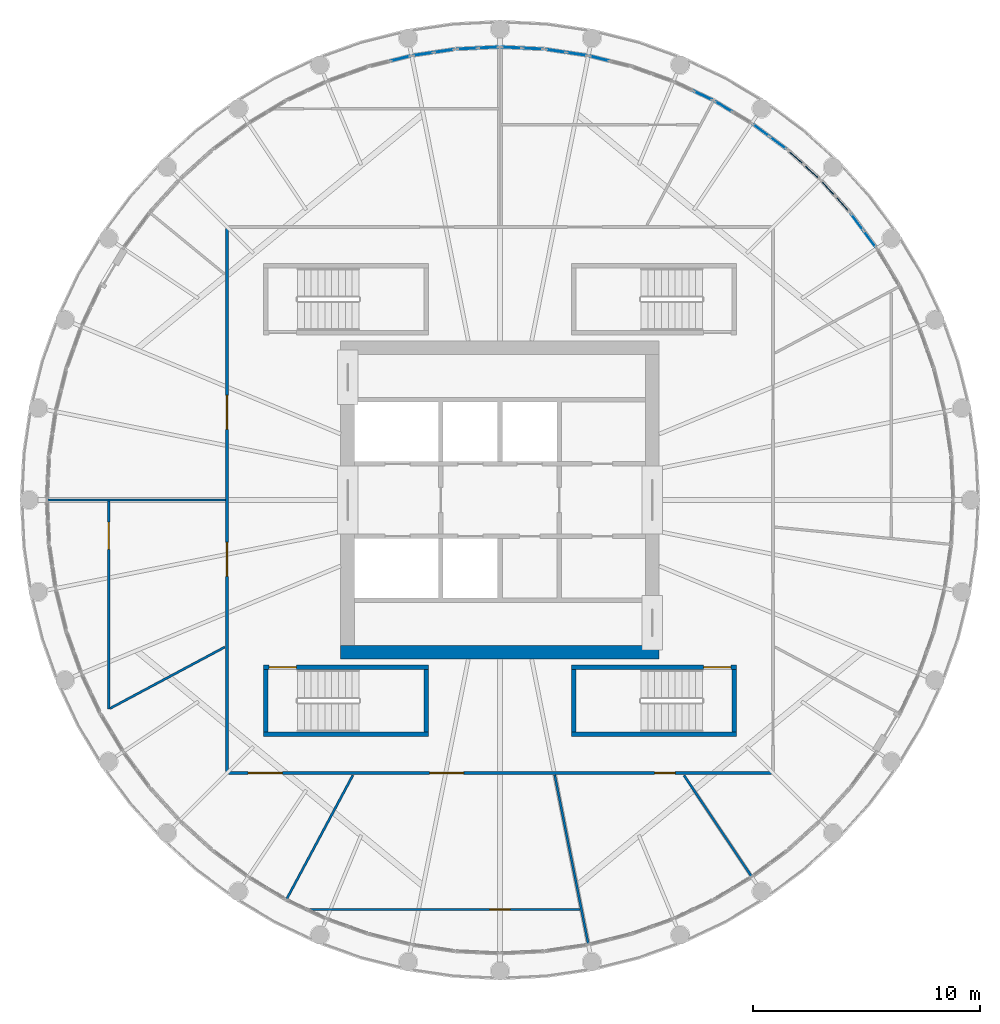
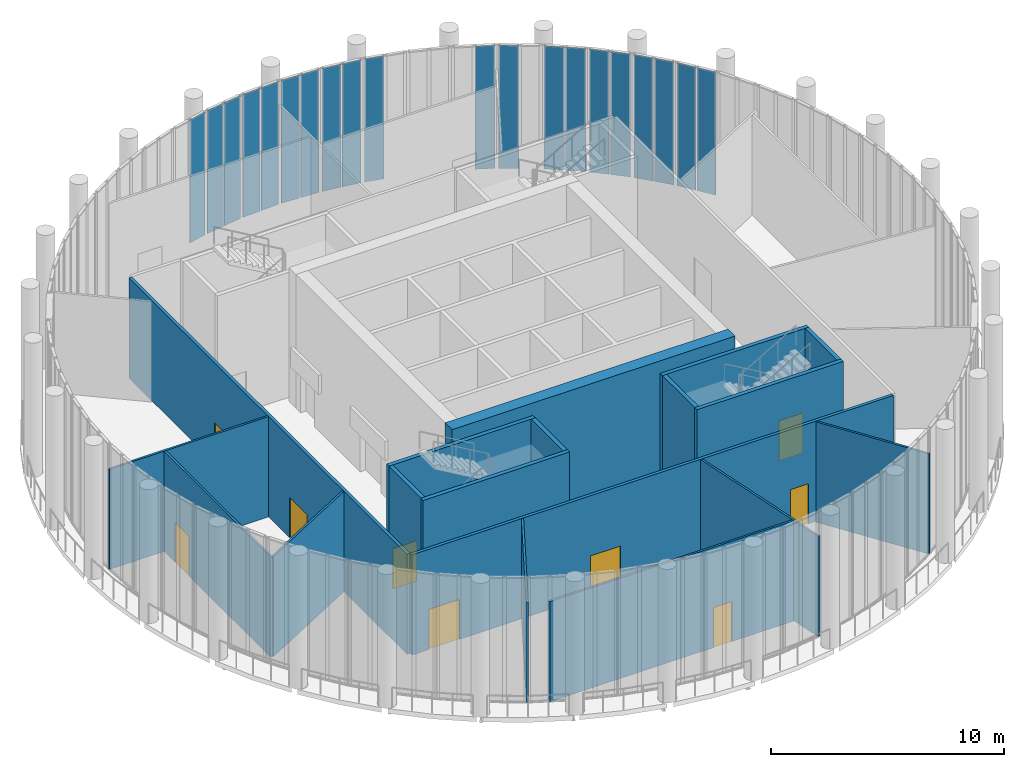
# One storey, part 15 of 21: 20 plates, 18 walls, 9 doors, 9 openings, 12 elements without a shape of their own.
"""IFC4 building model written with IfcOpenShell, lengths in metres."""

from ifc_helpers import new_model, si_unit, direction, frame, frame_2d, origin, origin_2d, place, context, subcontext, project, spatial, polyline, rectangle, outline, extrude, material, layer, layer_set, type_object, element, fill, aggregate, save


model = new_model("IFC4")

# Units and contexts
model_context = context("Model", 3, precision=1e-05, world=origin(), true_north=direction((0.0, 1.0)))
body_context = subcontext(model_context, "Body", "Model", "MODEL_VIEW")
ifc_project = project(units=[si_unit("LENGTHUNIT", "METRE"), si_unit("AREAUNIT", "SQUARE_METRE"), si_unit("VOLUMEUNIT", "CUBIC_METRE"), si_unit("PLANEANGLEUNIT", "RADIAN"), si_unit("MASSUNIT", "GRAM", prefix="KILO")], contexts=[model_context])

# Site, building, storey
site_placement = place(None, origin())
site = spatial("IfcSite", under=ifc_project, at=site_placement, CompositionType="ELEMENT")
building_placement = place(site_placement, origin())
building = spatial("IfcBuilding", under=site, at=building_placement, Name="Corvane Civic Tower", CompositionType="ELEMENT")
storey_placement = place(building_placement, frame((0.0, 0.0, 380.5)))
storey = spatial("IfcBuildingStorey", under=building, at=storey_placement, Name="L91", CompositionType="ELEMENT", Elevation=380.5)

# Curtain wall, plates
ifc_material_1 = material(Name="Aluminium and glass", Category="aluminium")
curtain_wall_type = type_object("IfcCurtainWallType", Name="CROWN-CW-O-RUN", PredefinedType="NOTDEFINED", material=ifc_material_1)
curtain_wall_1_placement = place(storey_placement, origin())
curtain_wall_1 = element("IfcCurtainWall", 1, at=curtain_wall_1_placement, inside=storey, type_object=curtain_wall_type, Name="CW-O run L91 1", PredefinedType="NOTDEFINED")
ifc_material_2 = material(Name="Glass tinted low-e laminated", Category="glass")
ifc_layer_1 = layer(ifc_material_2, 0.035888671875)
ifc_layer_set_1 = layer_set([ifc_layer_1], Name="Glass tinted low-e laminated")
plate_type = type_object("IfcPlateType", Name="CROWN-CWO-PANEL-IGU36", PredefinedType="CURTAIN_PANEL", material=ifc_layer_set_1)
plate_1_placement = place(storey_placement, frame((-0.5107421875, 19.884765625, 0.06005859375), z_axis=(0.0, 0.0, 1.0), x_axis=(-0.998799228405, -0.048990829113, 0.0)))
plate_1 = element("IfcPlate", 2, at=plate_1_placement, type_object=plate_type, Name="CW-O panel 1.1", PredefinedType="CURTAIN_PANEL", context=body_context, shape_type="SweptSolid", body=[
    extrude(rectangle(XDim=0.871337890625, YDim=0.035888671875, at=origin_2d()), origin(), (0.0, 0.0, 1.0), 6.429931640625),
])
plate_2_placement = place(storey_placement, frame((-1.44091796875, 19.839111328125, 0.06005859375), z_axis=(0.0, 0.0, 1.0), x_axis=(-0.998799228405, -0.048990829113, 0.0)))
plate_2 = element("IfcPlate", 3, at=plate_2_placement, type_object=plate_type, Name="CW-O panel 2.1", PredefinedType="CURTAIN_PANEL", context=body_context, shape_type="SweptSolid", body=[
    extrude(rectangle(XDim=0.871337890625, YDim=0.035888671875, at=origin_2d()), origin(), (0.0, 0.0, 1.0), 6.429931640625),
])
aggregate(curtain_wall_1, [plate_1, plate_2])

curtain_wall_2_placement = place(storey_placement, origin())
curtain_wall_2 = element("IfcCurtainWall", 4, at=curtain_wall_2_placement, inside=storey, type_object=curtain_wall_type, Name="CW-O run L91 2", PredefinedType="NOTDEFINED")
plate_3_placement = place(storey_placement, frame((-2.457275390625, 19.739013671875, 0.06005859375), z_axis=(0.0, 0.0, 1.0), x_axis=(-0.989170486303, -0.146771076941, 0.0)))
plate_3 = element("IfcPlate", 5, at=plate_3_placement, type_object=plate_type, Name="CW-O panel 1.1", PredefinedType="CURTAIN_PANEL", context=body_context, shape_type="SweptSolid", body=[
    extrude(rectangle(XDim=0.871337890625, YDim=0.035888671875, at=origin_2d()), origin(), (0.0, 0.0, 1.0), 6.429931640625),
])
plate_4_placement = place(storey_placement, frame((-3.378662109375, 19.602294921875, 0.06005859375), z_axis=(0.0, 0.0, 1.0), x_axis=(-0.989170486303, -0.146771076941, 0.0)))
plate_4 = element("IfcPlate", 6, at=plate_4_placement, type_object=plate_type, Name="CW-O panel 2.1", PredefinedType="CURTAIN_PANEL", context=body_context, shape_type="SweptSolid", body=[
    extrude(rectangle(XDim=0.871337890625, YDim=0.035888671875, at=origin_2d()), origin(), (0.0, 0.0, 1.0), 6.429931640625),
])
aggregate(curtain_wall_2, [plate_3, plate_4])

# Curtain wall, plate
curtain_wall_3_placement = place(storey_placement, origin())
curtain_wall_3 = element("IfcCurtainWall", 7, at=curtain_wall_3_placement, inside=storey, type_object=curtain_wall_type, Name="CW-O run L91 3", PredefinedType="NOTDEFINED")
plate_5_placement = place(storey_placement, frame((-4.380126953125, 19.403076171875, 0.06005859375), z_axis=(0.0, 0.0, 1.0), x_axis=(-0.970038385347, -0.242951704982, 0.0)))
plate_5 = element("IfcPlate", 8, at=plate_5_placement, type_object=plate_type, Name="CW-O panel 1.1", PredefinedType="CURTAIN_PANEL", context=body_context, shape_type="SweptSolid", body=[
    extrude(rectangle(XDim=0.871337890625, YDim=0.035888671875, at=origin_2d()), origin(), (0.0, 0.0, 1.0), 6.429931640625),
])
aggregate(curtain_wall_3, [plate_5])

# Curtain wall, plates
curtain_wall_4_placement = place(storey_placement, origin())
curtain_wall_4 = element("IfcCurtainWall", 9, at=curtain_wall_4_placement, inside=storey, type_object=curtain_wall_type, Name="CW-O run L91 55", PredefinedType="NOTDEFINED")
plate_6_placement = place(storey_placement, frame((16.25, 11.471923828125, 0.06005859375), z_axis=(0.0, 0.0, 1.0), x_axis=(-0.595722477003, 0.803190345058, 0.0)))
plate_6 = element("IfcPlate", 10, at=plate_6_placement, type_object=plate_type, Name="CW-O panel 1.1", PredefinedType="CURTAIN_PANEL", context=body_context, shape_type="SweptSolid", body=[
    extrude(rectangle(XDim=0.871337890625, YDim=0.035888671875, at=origin_2d()), origin(), (0.0, 0.0, 1.0), 6.429931640625),
])
plate_7_placement = place(storey_placement, frame((15.695068359375, 12.219970703125, 0.06005859375), z_axis=(0.0, 0.0, 1.0), x_axis=(-0.595722477003, 0.803190345058, 0.0)))
plate_7 = element("IfcPlate", 11, at=plate_7_placement, type_object=plate_type, Name="CW-O panel 2.1", PredefinedType="CURTAIN_PANEL", context=body_context, shape_type="SweptSolid", body=[
    extrude(rectangle(XDim=0.871337890625, YDim=0.035888671875, at=origin_2d()), origin(), (0.0, 0.0, 1.0), 6.429931640625),
])
aggregate(curtain_wall_4, [plate_6, plate_7])

curtain_wall_5_placement = place(storey_placement, origin())
curtain_wall_5 = element("IfcCurtainWall", 12, at=curtain_wall_5_placement, inside=storey, type_object=curtain_wall_type, Name="CW-O run L91 56", PredefinedType="NOTDEFINED")
plate_8_placement = place(storey_placement, frame((15.047119140625, 13.00927734375, 0.06005859375), z_axis=(0.0, 0.0, 1.0), x_axis=(-0.671566717692, 0.740944089448, 0.0)))
plate_8 = element("IfcPlate", 13, at=plate_8_placement, type_object=plate_type, Name="CW-O panel 1.1", PredefinedType="CURTAIN_PANEL", context=body_context, shape_type="SweptSolid", body=[
    extrude(rectangle(XDim=0.871337890625, YDim=0.035888671875, at=origin_2d()), origin(), (0.0, 0.0, 1.0), 6.429931640625),
])
plate_9_placement = place(storey_placement, frame((14.421630859375, 13.699462890625, 0.06005859375), z_axis=(0.0, 0.0, 1.0), x_axis=(-0.671566717692, 0.740944089448, 0.0)))
plate_9 = element("IfcPlate", 14, at=plate_9_placement, type_object=plate_type, Name="CW-O panel 2.1", PredefinedType="CURTAIN_PANEL", context=body_context, shape_type="SweptSolid", body=[
    extrude(rectangle(XDim=0.871337890625, YDim=0.035888671875, at=origin_2d()), origin(), (0.0, 0.0, 1.0), 6.429931640625),
])
aggregate(curtain_wall_5, [plate_8, plate_9])

curtain_wall_6_placement = place(storey_placement, origin())
curtain_wall_6 = element("IfcCurtainWall", 15, at=curtain_wall_6_placement, inside=storey, type_object=curtain_wall_type, Name="CW-O run L91 57", PredefinedType="NOTDEFINED")
plate_10_placement = place(storey_placement, frame((13.699462890625, 14.421630859375, 0.06005859375), z_axis=(0.0, 0.0, 1.0), x_axis=(-0.740944089448, 0.671566717692, 0.0)))
plate_10 = element("IfcPlate", 16, at=plate_10_placement, type_object=plate_type, Name="CW-O panel 1.1", PredefinedType="CURTAIN_PANEL", context=body_context, shape_type="SweptSolid", body=[
    extrude(rectangle(XDim=0.871337890625, YDim=0.035888671875, at=origin_2d()), origin(), (0.0, 0.0, 1.0), 6.429931640625),
])
plate_11_placement = place(storey_placement, frame((13.00927734375, 15.047119140625, 0.06005859375), z_axis=(0.0, 0.0, 1.0), x_axis=(-0.740944089448, 0.671566717692, 0.0)))
plate_11 = element("IfcPlate", 17, at=plate_11_placement, type_object=plate_type, Name="CW-O panel 2.1", PredefinedType="CURTAIN_PANEL", context=body_context, shape_type="SweptSolid", body=[
    extrude(rectangle(XDim=0.871337890625, YDim=0.035888671875, at=origin_2d()), origin(), (0.0, 0.0, 1.0), 6.429931640625),
])
aggregate(curtain_wall_6, [plate_10, plate_11])

curtain_wall_7_placement = place(storey_placement, origin())
curtain_wall_7 = element("IfcCurtainWall", 18, at=curtain_wall_7_placement, inside=storey, type_object=curtain_wall_type, Name="CW-O run L91 58", PredefinedType="NOTDEFINED")
plate_12_placement = place(storey_placement, frame((12.219970703125, 15.695068359375, 0.06005859375), z_axis=(0.0, 0.0, 1.0), x_axis=(-0.803190345058, 0.595722477003, 0.0)))
plate_12 = element("IfcPlate", 19, at=plate_12_placement, type_object=plate_type, Name="CW-O panel 1.1", PredefinedType="CURTAIN_PANEL", context=body_context, shape_type="SweptSolid", body=[
    extrude(rectangle(XDim=0.871337890625, YDim=0.035888671875, at=origin_2d()), origin(), (0.0, 0.0, 1.0), 6.429931640625),
])
plate_13_placement = place(storey_placement, frame((11.471923828125, 16.25, 0.06005859375), z_axis=(0.0, 0.0, 1.0), x_axis=(-0.803190345058, 0.595722477003, 0.0)))
plate_13 = element("IfcPlate", 20, at=plate_13_placement, type_object=plate_type, Name="CW-O panel 2.1", PredefinedType="CURTAIN_PANEL", context=body_context, shape_type="SweptSolid", body=[
    extrude(rectangle(XDim=0.871337890625, YDim=0.035888671875, at=origin_2d()), origin(), (0.0, 0.0, 1.0), 6.429931640625),
])
aggregate(curtain_wall_7, [plate_12, plate_13])

# Curtain wall, plate
curtain_wall_8_placement = place(storey_placement, origin())
curtain_wall_8 = element("IfcCurtainWall", 21, at=curtain_wall_8_placement, inside=storey, type_object=curtain_wall_type, Name="CW-O run L91 59", PredefinedType="NOTDEFINED")
plate_14_placement = place(storey_placement, frame((9.823974609375, 17.296142578125, 0.06005859375), z_axis=(0.0, 0.0, 1.0), x_axis=(-0.857699380043, 0.514151508287, 0.0)))
plate_14 = element("IfcPlate", 22, at=plate_14_placement, type_object=plate_type, Name="CW-O panel 2.1", PredefinedType="CURTAIN_PANEL", context=body_context, shape_type="SweptSolid", body=[
    extrude(rectangle(XDim=0.871337890625, YDim=0.035888671875, at=origin_2d()), origin(), (0.0, 0.0, 1.0), 6.429931640625),
])
aggregate(curtain_wall_8, [plate_14])

curtain_wall_9_placement = place(storey_placement, origin())
curtain_wall_9 = element("IfcCurtainWall", 23, at=curtain_wall_9_placement, inside=storey, type_object=curtain_wall_type, Name="CW-O run L91 60", PredefinedType="NOTDEFINED")
plate_15_placement = place(storey_placement, frame((8.92333984375, 17.777587890625, 0.06005859375), z_axis=(0.0, 0.0, 1.0), x_axis=(-0.904010875684, 0.427509457959, 0.0)))
plate_15 = element("IfcPlate", 24, at=plate_15_placement, type_object=plate_type, Name="CW-O panel 1.1", PredefinedType="CURTAIN_PANEL", context=body_context, shape_type="SweptSolid", body=[
    extrude(rectangle(XDim=0.871337890625, YDim=0.035888671875, at=origin_2d()), origin(), (0.0, 0.0, 1.0), 6.429931640625),
])
aggregate(curtain_wall_9, [plate_15])

curtain_wall_10_placement = place(storey_placement, origin())
curtain_wall_10 = element("IfcCurtainWall", 25, at=curtain_wall_10_placement, inside=storey, type_object=curtain_wall_type, Name="CW-O run L91 62", PredefinedType="NOTDEFINED")
plate_16_placement = place(storey_placement, frame((4.380126953125, 19.403076171875, 0.06005859375), z_axis=(0.0, 0.0, 1.0), x_axis=(-0.970038385347, 0.242951704982, 0.0)))
plate_16 = element("IfcPlate", 26, at=plate_16_placement, type_object=plate_type, Name="CW-O panel 2.1", PredefinedType="CURTAIN_PANEL", context=body_context, shape_type="SweptSolid", body=[
    extrude(rectangle(XDim=0.871337890625, YDim=0.035888671875, at=origin_2d()), origin(), (0.0, 0.0, 1.0), 6.429931640625),
])
aggregate(curtain_wall_10, [plate_16])

# Curtain wall, plates
curtain_wall_11_placement = place(storey_placement, origin())
curtain_wall_11 = element("IfcCurtainWall", 27, at=curtain_wall_11_placement, inside=storey, type_object=curtain_wall_type, Name="CW-O run L91 63", PredefinedType="NOTDEFINED")
plate_17_placement = place(storey_placement, frame((3.378662109375, 19.602294921875, 0.06005859375), z_axis=(0.0, 0.0, 1.0), x_axis=(-0.989170486303, 0.146771076941, 0.0)))
plate_17 = element("IfcPlate", 28, at=plate_17_placement, type_object=plate_type, Name="CW-O panel 1.1", PredefinedType="CURTAIN_PANEL", context=body_context, shape_type="SweptSolid", body=[
    extrude(rectangle(XDim=0.871337890625, YDim=0.035888671875, at=origin_2d()), origin(), (0.0, 0.0, 1.0), 6.429931640625),
])
plate_18_placement = place(storey_placement, frame((2.457275390625, 19.739013671875, 0.06005859375), z_axis=(0.0, 0.0, 1.0), x_axis=(-0.989170486303, 0.146771076941, 0.0)))
plate_18 = element("IfcPlate", 29, at=plate_18_placement, type_object=plate_type, Name="CW-O panel 2.1", PredefinedType="CURTAIN_PANEL", context=body_context, shape_type="SweptSolid", body=[
    extrude(rectangle(XDim=0.871337890625, YDim=0.035888671875, at=origin_2d()), origin(), (0.0, 0.0, 1.0), 6.429931640625),
])
aggregate(curtain_wall_11, [plate_17, plate_18])

curtain_wall_12_placement = place(storey_placement, origin())
curtain_wall_12 = element("IfcCurtainWall", 30, at=curtain_wall_12_placement, inside=storey, type_object=curtain_wall_type, Name="CW-O run L91 64", PredefinedType="NOTDEFINED")
plate_19_placement = place(storey_placement, frame((1.44091796875, 19.839111328125, 0.06005859375), z_axis=(0.0, 0.0, 1.0), x_axis=(-0.998799228405, 0.048990829113, 0.0)))
plate_19 = element("IfcPlate", 31, at=plate_19_placement, type_object=plate_type, Name="CW-O panel 1.1", PredefinedType="CURTAIN_PANEL", context=body_context, shape_type="SweptSolid", body=[
    extrude(rectangle(XDim=0.871337890625, YDim=0.035888671875, at=origin_2d()), origin(), (0.0, 0.0, 1.0), 6.429931640625),
])
plate_20_placement = place(storey_placement, frame((0.5107421875, 19.884765625, 0.06005859375), z_axis=(0.0, 0.0, 1.0), x_axis=(-0.998799228405, 0.048990829113, 0.0)))
plate_20 = element("IfcPlate", 32, at=plate_20_placement, type_object=plate_type, Name="CW-O panel 2.1", PredefinedType="CURTAIN_PANEL", context=body_context, shape_type="SweptSolid", body=[
    extrude(rectangle(XDim=0.871337890625, YDim=0.035888671875, at=origin_2d()), origin(), (0.0, 0.0, 1.0), 6.429931640625),
])
aggregate(curtain_wall_12, [plate_19, plate_20])

# Walls
ifc_material_3 = material(Name="Concrete C40/50", Category="concrete")
ifc_layer_2 = layer(ifc_material_3, 0.60009765625)
ifc_layer_set_2 = layer_set([ifc_layer_2], Name="Concrete C40/50")
wall_type_1 = type_object("IfcWallType", Name="CORE WALL 600 C40/50", PredefinedType="SHEAR", material=ifc_layer_set_2)
wall_1_placement = place(storey_placement, frame((-7.0, -6.699951171875, 0.0), z_axis=(0.0, 0.0, 1.0), x_axis=(1.0, 0.0, 0.0)))
element("IfcWall", 33, at=wall_1_placement, inside=storey, type_object=wall_type_1, Name="W-L91-core-S", PredefinedType="SHEAR", context=body_context, shape_type="SweptSolid", body=[
    extrude(rectangle(XDim=14.0, YDim=0.60009765625, at=frame_2d((7.0, 0.0))), origin(), (0.0, 0.0, 1.0), 7.0),
])
ifc_material_4 = material(Name="Plasterboard")
ifc_layer_3 = layer(ifc_material_4, 0.10009765625)
ifc_layer_set_3 = layer_set([ifc_layer_3], Name="Plasterboard")
wall_type_2 = type_object("IfcWallType", Name="Partition 100 plasterboard on studs", PredefinedType="PARTITIONING", material=ifc_layer_set_3)
wall_2_placement = place(storey_placement, frame((2.40380859375, -12.084716796875, 0.0), z_axis=(0.0, 0.0, 1.0), x_axis=(0.195088249499, -0.98078569265, 0.0)))
element("IfcWall", 34, at=wall_2_placement, inside=storey, type_object=wall_type_2, Name="Partition L91.001", PredefinedType="PARTITIONING", context=body_context, shape_type="SweptSolid", body=[
    extrude(rectangle(XDim=7.628662109375, YDim=0.10009765625, at=frame_2d((3.814453125, 0.0))), origin(), (0.0, 0.0, 1.0), 5.25),
])

# Wall, opening, door
wall_3_placement = place(storey_placement, frame((-8.547119140625, -18.0, 0.0), z_axis=(0.0, 0.0, 1.0), x_axis=(1.0, 0.0, 0.0)))
wall_3 = element("IfcWall", 35, at=wall_3_placement, inside=storey, type_object=wall_type_2, Name="Partition L91.002", PredefinedType="PARTITIONING", context=body_context, shape_type="SweptSolid", body=[
    extrude(rectangle(XDim=12.066650390625, YDim=0.10009765625, at=frame_2d((6.033203125, 0.0))), origin(), (0.0, 0.0, 1.0), 5.25),
])
opening_1_placement = place(wall_3_placement, frame((8.103271484375, 0.0, 0.0)))
opening_1 = element("IfcOpeningElement", 36, at=opening_1_placement, cuts=wall_3, Name="Opening L91.009", PredefinedType="OPENING", context=body_context, shape_type="SweptSolid", body=[
    extrude(rectangle(XDim=0.89990234375, YDim=2.10009765625, at=frame_2d((0.449951171875, 1.050048828125))), frame((0.0, 0.06005859375, 0.0), z_axis=(0.0, -1.0, 0.0), x_axis=(1.0, 0.0, 0.0)), (0.0, 0.0, 1.0), 0.1201171875),
])
ifc_material_5 = material(Name="Timber", Category="wood")
door_type_1 = type_object("IfcDoorType", Name="Single door 900", OperationType="NOTDEFINED", PredefinedType="DOOR", material=ifc_material_5)
door_1_placement = place(opening_1_placement, frame((0.89990234375, 0.0, 0.0), z_axis=(0.0, 0.0, 1.0), x_axis=(-1.0, 0.0, 0.0)))
door_1 = element("IfcDoor", 37, at=door_1_placement, inside=storey, type_object=door_type_1, Name="Door L91.009", OperationType="SINGLE_SWING_RIGHT", OverallHeight=2.10009765625, OverallWidth=0.89990234375, PredefinedType="DOOR", context=body_context, shape_type="SweptSolid", body=[
    extrude(rectangle(XDim=0.89990234375, YDim=2.10009765625, at=frame_2d((0.449951171875, 1.050048828125))), frame((0.0, 0.02490234375, 0.0), z_axis=(0.0, -1.0, 0.0), x_axis=(1.0, 0.0, 0.0)), (0.0, 0.0, 1.0), 0.050048828125),
])
fill(opening_1, door_1)

# Walls
wall_4_placement = place(storey_placement, frame((-9.404541015625, -17.594482421875, 0.0), z_axis=(0.0, 0.0, 1.0), x_axis=(0.47141562334, 0.881911169036, 0.0)))
element("IfcWall", 38, at=wall_4_placement, inside=storey, type_object=wall_type_2, Name="Partition L91.003", PredefinedType="PARTITIONING", context=body_context, shape_type="SweptSolid", body=[
    extrude(rectangle(XDim=6.231689453125, YDim=0.10009765625, at=frame_2d((3.11572265625, 0.0))), origin(), (0.0, 0.0, 1.0), 5.25),
])
wall_5_placement = place(storey_placement, frame((8.0869140625, -12.102783203125, 0.0), z_axis=(0.0, 0.0, 1.0), x_axis=(0.555566798696, -0.831471907034, 0.0)))
element("IfcWall", 39, at=wall_5_placement, inside=storey, type_object=wall_type_2, Name="Partition L91.004", PredefinedType="PARTITIONING", context=body_context, shape_type="SweptSolid", body=[
    extrude(rectangle(XDim=5.394287109375, YDim=0.10009765625, at=frame_2d((2.697265625, 0.0))), origin(), (0.0, 0.0, 1.0), 5.25),
])
wall_6_placement = place(storey_placement, frame((-17.13232421875, -9.157470703125, 0.0), z_axis=(0.0, 0.0, 1.0), x_axis=(0.881913272731, 0.471411687786, 0.0)))
element("IfcWall", 40, at=wall_6_placement, inside=storey, type_object=wall_type_2, Name="Partition L91.009", PredefinedType="PARTITIONING", context=body_context, shape_type="SweptSolid", body=[
    extrude(rectangle(XDim=5.707763671875, YDim=0.10009765625, at=frame_2d((2.85400390625, 0.0))), origin(), (0.0, 0.0, 1.0), 5.25),
])

# Wall, opening, door
wall_7_placement = place(storey_placement, frame((-17.199951171875, -9.193603515625, 0.0), z_axis=(0.0, 0.0, 1.0), x_axis=(0.0, 1.0, 0.0)))
wall_7 = element("IfcWall", 41, at=wall_7_placement, inside=storey, type_object=wall_type_2, Name="Partition L91.010", PredefinedType="PARTITIONING", context=body_context, shape_type="SweptSolid", body=[
    extrude(rectangle(XDim=9.1435546875, YDim=0.10009765625, at=frame_2d((4.57177734375, 0.0))), origin(), (0.0, 0.0, 1.0), 5.25),
])
opening_2_placement = place(wall_7_placement, frame((7.020751953125, 0.0, 0.0)))
opening_2 = element("IfcOpeningElement", 42, at=opening_2_placement, cuts=wall_7, Name="Opening L91.012", PredefinedType="OPENING", context=body_context, shape_type="SweptSolid", body=[
    extrude(rectangle(XDim=1.199951171875, YDim=2.10009765625, at=frame_2d((0.60009765625, 1.050048828125))), frame((0.0, 0.06005859375, 0.0), z_axis=(0.0, -1.0, 0.0), x_axis=(1.0, 0.0, 0.0)), (0.0, 0.0, 1.0), 0.1201171875),
])
ifc_material_6 = material(Name="Timber", Category="wood")
door_type_2 = type_object("IfcDoorType", Name="Double door 1200", OperationType="NOTDEFINED", PredefinedType="DOOR", material=ifc_material_6)
door_2_placement = place(opening_2_placement, origin())
door_2 = element("IfcDoor", 43, at=door_2_placement, inside=storey, type_object=door_type_2, Name="Door L91.012", OperationType="DOUBLE_DOOR_SINGLE_SWING", OverallHeight=2.10009765625, OverallWidth=1.199951171875, PredefinedType="DOOR", context=body_context, shape_type="SweptSolid", body=[
    extrude(rectangle(XDim=1.199951171875, YDim=2.10009765625, at=frame_2d((0.60009765625, 1.050048828125))), frame((0.0, 0.02490234375, 0.0), z_axis=(0.0, -1.0, 0.0), x_axis=(1.0, 0.0, 0.0)), (0.0, 0.0, 1.0), 0.050048828125),
])
fill(opening_2, door_2)

# Wall
wall_8_placement = place(storey_placement, frame((-19.9501953125, 0.0, 0.0), z_axis=(0.0, 0.0, 1.0), x_axis=(1.0, 0.0, 0.0)))
element("IfcWall", 44, at=wall_8_placement, inside=storey, type_object=wall_type_2, Name="Partition L91.013", PredefinedType="PARTITIONING", context=body_context, shape_type="SweptSolid", body=[
    extrude(rectangle(XDim=7.875244140625, YDim=0.10009765625, at=frame_2d((3.9375, 0.0))), origin(), (0.0, 0.0, 1.0), 5.25),
])

# Wall, opening, door
ifc_material_7 = material(Name="Concrete C50/60", Category="concrete")
ifc_layer_4 = layer(ifc_material_7, 0.199951171875)
ifc_layer_set_4 = layer_set([ifc_layer_4], Name="Concrete C50/60")
wall_type_3 = type_object("IfcWallType", Name="ST-WALL-200", PredefinedType="SHEAR", material=ifc_layer_set_4)
wall_9_placement = place(storey_placement, frame((-10.39990234375, -7.35009765625, 0.0), z_axis=(0.0, 0.0, 1.0), x_axis=(1.0, 0.0, 0.0)))
wall_9 = element("IfcWall", 45, at=wall_9_placement, inside=storey, type_object=wall_type_3, Name="L91 stair enclosure wall", PredefinedType="SHEAR", context=body_context, shape_type="SweptSolid", body=[
    extrude(rectangle(XDim=7.25, YDim=0.199951171875, at=frame_2d((3.625, 0.0))), origin(), (0.0, 0.0, 1.0), 6.550048828125),
])
opening_3_placement = place(wall_9_placement, frame((0.25, 0.0, 0.0)))
opening_3 = element("IfcOpeningElement", 46, at=opening_3_placement, cuts=wall_9, Name="Opening L91.C07", PredefinedType="OPENING", context=body_context, shape_type="SweptSolid", body=[
    extrude(rectangle(XDim=1.199951171875, YDim=2.10009765625, at=frame_2d((0.60009765625, 1.050048828125))), frame((0.0, 0.10986328125, 0.0), z_axis=(0.0, -1.0, 0.0), x_axis=(1.0, 0.0, 0.0)), (0.0, 0.0, 1.0), 0.219970703125),
])
ifc_material_8 = material(Name="Steel fire door leaf", Category="steel")
door_type_3 = type_object("IfcDoorType", Name="ST-DOOR-1200", OperationType="SINGLE_SWING_RIGHT", PredefinedType="DOOR", material=ifc_material_8)
door_3_placement = place(opening_3_placement, origin())
door_3 = element("IfcDoor", 47, at=door_3_placement, inside=storey, type_object=door_type_3, Name="L91 stair door", OperationType="SINGLE_SWING_RIGHT", OverallHeight=2.10009765625, OverallWidth=1.199951171875, PredefinedType="DOOR", context=body_context, shape_type="SweptSolid", body=[
    extrude(rectangle(XDim=1.199951171875, YDim=2.10009765625, at=frame_2d((0.60009765625, 1.050048828125))), frame((0.0, 0.02490234375, 0.0), z_axis=(0.0, -1.0, 0.0), x_axis=(1.0, 0.0, 0.0)), (0.0, 0.0, 1.0), 0.050048828125),
])
fill(opening_3, door_3)

wall_10_placement = place(storey_placement, frame((3.14990234375, -7.35009765625, 0.0), z_axis=(0.0, 0.0, 1.0), x_axis=(1.0, 0.0, 0.0)))
wall_10 = element("IfcWall", 48, at=wall_10_placement, inside=storey, type_object=wall_type_3, Name="L91 stair enclosure wall", PredefinedType="SHEAR", context=body_context, shape_type="SweptSolid", body=[
    extrude(rectangle(XDim=7.25, YDim=0.199951171875, at=frame_2d((3.625, 0.0))), origin(), (0.0, 0.0, 1.0), 6.550048828125),
])
opening_4_placement = place(wall_10_placement, frame((5.800048828125, 0.0, 0.0)))
opening_4 = element("IfcOpeningElement", 49, at=opening_4_placement, cuts=wall_10, Name="Opening L91.C06", PredefinedType="OPENING", context=body_context, shape_type="SweptSolid", body=[
    extrude(rectangle(XDim=1.199951171875, YDim=2.10009765625, at=frame_2d((0.60009765625, 1.050048828125))), frame((0.0, 0.10986328125, 0.0), z_axis=(0.0, -1.0, 0.0), x_axis=(1.0, 0.0, 0.0)), (0.0, 0.0, 1.0), 0.219970703125),
])
door_4_placement = place(opening_4_placement, origin())
door_4 = element("IfcDoor", 50, at=door_4_placement, inside=storey, type_object=door_type_3, Name="L91 stair door", OperationType="SINGLE_SWING_RIGHT", OverallHeight=2.10009765625, OverallWidth=1.199951171875, PredefinedType="DOOR", context=body_context, shape_type="SweptSolid", body=[
    extrude(rectangle(XDim=1.199951171875, YDim=2.10009765625, at=frame_2d((0.60009765625, 1.050048828125))), frame((0.0, 0.02490234375, 0.0), z_axis=(0.0, -1.0, 0.0), x_axis=(1.0, 0.0, 0.0)), (0.0, 0.0, 1.0), 0.050048828125),
])
fill(opening_4, door_4)

# Walls
wall_11_placement = place(storey_placement, origin())
element("IfcWall", 51, at=wall_11_placement, inside=storey, type_object=wall_type_3, Name="L91 stair enclosure wall", PredefinedType="SHEAR", context=body_context, shape_type="SweptSolid", body=[
    extrude(outline(polyline([(-3.14990234375, -10.199951171875), (-3.14990234375, -10.39990234375), (-10.39990234375, -10.39990234375), (-10.39990234375, -10.199951171875), (-3.14990234375, -10.199951171875)])), origin(), (0.0, 0.0, 1.0), 6.550048828125),
])
wall_12_placement = place(storey_placement, origin())
element("IfcWall", 52, at=wall_12_placement, inside=storey, type_object=wall_type_3, Name="L91 stair enclosure wall", PredefinedType="SHEAR", context=body_context, shape_type="SweptSolid", body=[
    extrude(outline(polyline([(10.39990234375, -10.39990234375), (3.14990234375, -10.39990234375), (3.14990234375, -10.199951171875), (10.39990234375, -10.199951171875), (10.39990234375, -10.39990234375)])), origin(), (0.0, 0.0, 1.0), 6.550048828125),
])
wall_13_placement = place(storey_placement, origin())
element("IfcWall", 53, at=wall_13_placement, inside=storey, type_object=wall_type_3, Name="L91 stair enclosure wall", PredefinedType="SHEAR", context=body_context, shape_type="SweptSolid", body=[
    extrude(outline(polyline([(-3.14990234375, -7.449951171875), (-3.14990234375, -10.199951171875), (-3.35009765625, -10.199951171875), (-3.35009765625, -7.449951171875), (-3.14990234375, -7.449951171875)])), origin(), (0.0, 0.0, 1.0), 6.550048828125),
])
wall_14_placement = place(storey_placement, origin())
element("IfcWall", 54, at=wall_14_placement, inside=storey, type_object=wall_type_3, Name="L91 stair enclosure wall", PredefinedType="SHEAR", context=body_context, shape_type="SweptSolid", body=[
    extrude(outline(polyline([(3.35009765625, -7.449951171875), (3.35009765625, -10.199951171875), (3.14990234375, -10.199951171875), (3.14990234375, -7.449951171875), (3.35009765625, -7.449951171875)])), origin(), (0.0, 0.0, 1.0), 6.550048828125),
])
wall_15_placement = place(storey_placement, origin())
element("IfcWall", 55, at=wall_15_placement, inside=storey, type_object=wall_type_3, Name="L91 stair enclosure wall", PredefinedType="SHEAR", context=body_context, shape_type="SweptSolid", body=[
    extrude(outline(polyline([(-10.199951171875, -7.449951171875), (-10.199951171875, -10.199951171875), (-10.39990234375, -10.199951171875), (-10.39990234375, -7.449951171875), (-10.199951171875, -7.449951171875)])), origin(), (0.0, 0.0, 1.0), 6.550048828125),
])
wall_16_placement = place(storey_placement, origin())
element("IfcWall", 56, at=wall_16_placement, inside=storey, type_object=wall_type_3, Name="L91 stair enclosure wall", PredefinedType="SHEAR", context=body_context, shape_type="SweptSolid", body=[
    extrude(outline(polyline([(10.39990234375, -7.449951171875), (10.39990234375, -10.199951171875), (10.199951171875, -10.199951171875), (10.199951171875, -7.449951171875), (10.39990234375, -7.449951171875)])), origin(), (0.0, 0.0, 1.0), 6.550048828125),
])

# Wall, openings, doors
ifc_material_9 = material(Name="Plasterboard")
ifc_layer_5 = layer(ifc_material_9, 0.14990234375)
ifc_layer_set_5 = layer_set([ifc_layer_5], Name="Plasterboard")
wall_type_4 = type_object("IfcWallType", Name="Tenancy wall 150 EI 60", PredefinedType="PARTITIONING", material=ifc_layer_set_5)
wall_17_placement = place(storey_placement, frame((-11.925048828125, -12.0, 0.0), z_axis=(0.0, 0.0, 1.0), x_axis=(1.0, 0.0, 0.0)))
wall_17 = element("IfcWall", 57, at=wall_17_placement, inside=storey, type_object=wall_type_4, Name="Partition L91.005", PredefinedType="PARTITIONING", context=body_context, shape_type="SweptSolid", body=[
    extrude(rectangle(XDim=23.85009765625, YDim=0.14990234375, at=frame_2d((11.925048828125, 0.0))), origin(), (0.0, 0.0, 1.0), 5.25),
])
opening_5_placement = place(wall_17_placement, frame((18.72607421875, 0.0, 0.0)))
opening_5 = element("IfcOpeningElement", 58, at=opening_5_placement, cuts=wall_17, Name="Opening L91.008", PredefinedType="OPENING", context=body_context, shape_type="SweptSolid", body=[
    extrude(rectangle(XDim=0.89990234375, YDim=2.10009765625, at=frame_2d((0.449951171875, 1.050048828125))), frame((0.0, 0.0849609375, 0.0), z_axis=(0.0, -1.0, 0.0), x_axis=(1.0, 0.0, 0.0)), (0.0, 0.0, 1.0), 0.169921875),
])
opening_6_placement = place(wall_17_placement, frame((8.831298828125, 0.0, 0.0)))
opening_6 = element("IfcOpeningElement", 59, at=opening_6_placement, cuts=wall_17, Name="Opening L91.010", PredefinedType="OPENING", context=body_context, shape_type="SweptSolid", body=[
    extrude(rectangle(XDim=1.5, YDim=2.10009765625, at=frame_2d((0.75, 1.050048828125))), frame((0.0, 0.0849609375, 0.0), z_axis=(0.0, -1.0, 0.0), x_axis=(1.0, 0.0, 0.0)), (0.0, 0.0, 1.0), 0.169921875),
])
opening_7_placement = place(wall_17_placement, frame((0.854248046875, 0.0, 0.0)))
opening_7 = element("IfcOpeningElement", 60, at=opening_7_placement, cuts=wall_17, Name="Opening L91.011", PredefinedType="OPENING", context=body_context, shape_type="SweptSolid", body=[
    extrude(rectangle(XDim=1.5, YDim=2.10009765625, at=frame_2d((0.75, 1.050048828125))), frame((0.0, 0.0849609375, 0.0), z_axis=(0.0, -1.0, 0.0), x_axis=(1.0, 0.0, 0.0)), (0.0, 0.0, 1.0), 0.169921875),
])
ifc_material_10 = material(Name="Steel and timber", Category="steel")
door_type_4 = type_object("IfcDoorType", Name="Fire door FD30S 900", OperationType="NOTDEFINED", PredefinedType="DOOR", material=ifc_material_10)
door_5_placement = place(opening_5_placement, frame((0.89990234375, 0.0, 0.0), z_axis=(0.0, 0.0, 1.0), x_axis=(-1.0, 0.0, 0.0)))
door_5 = element("IfcDoor", 61, at=door_5_placement, inside=storey, type_object=door_type_4, Name="Door L91.008", OperationType="SINGLE_SWING_LEFT", OverallHeight=2.10009765625, OverallWidth=0.89990234375, PredefinedType="DOOR", context=body_context, shape_type="SweptSolid", body=[
    extrude(rectangle(XDim=0.89990234375, YDim=2.10009765625, at=frame_2d((0.449951171875, 1.050048828125))), frame((0.0, 0.02490234375, 0.0), z_axis=(0.0, -1.0, 0.0), x_axis=(1.0, 0.0, 0.0)), (0.0, 0.0, 1.0), 0.050048828125),
])
fill(opening_5, door_5)
ifc_material_11 = material(Name="Steel and timber", Category="steel")
door_type_5 = type_object("IfcDoorType", Name="Fire door FD60 double 1500", OperationType="NOTDEFINED", PredefinedType="DOOR", material=ifc_material_11)
door_6_placement = place(opening_6_placement, frame((1.5, 0.0, 0.0), z_axis=(0.0, 0.0, 1.0), x_axis=(-1.0, 0.0, 0.0)))
door_6 = element("IfcDoor", 62, at=door_6_placement, inside=storey, type_object=door_type_5, Name="Door L91.010", OperationType="DOUBLE_DOOR_SINGLE_SWING", OverallHeight=2.10009765625, OverallWidth=1.5, PredefinedType="DOOR", context=body_context, shape_type="SweptSolid", body=[
    extrude(rectangle(XDim=1.5, YDim=2.10009765625, at=frame_2d((0.75, 1.050048828125))), frame((0.0, 0.02490234375, 0.0), z_axis=(0.0, -1.0, 0.0), x_axis=(1.0, 0.0, 0.0)), (0.0, 0.0, 1.0), 0.050048828125),
])
fill(opening_6, door_6)
door_7_placement = place(opening_7_placement, frame((1.5, 0.0, 0.0), z_axis=(0.0, 0.0, 1.0), x_axis=(-1.0, 0.0, 0.0)))
door_7 = element("IfcDoor", 63, at=door_7_placement, inside=storey, type_object=door_type_5, Name="Door L91.011", OperationType="DOUBLE_DOOR_SINGLE_SWING", OverallHeight=2.10009765625, OverallWidth=1.5, PredefinedType="DOOR", context=body_context, shape_type="SweptSolid", body=[
    extrude(rectangle(XDim=1.5, YDim=2.10009765625, at=frame_2d((0.75, 1.050048828125))), frame((0.0, 0.02490234375, 0.0), z_axis=(0.0, -1.0, 0.0), x_axis=(1.0, 0.0, 0.0)), (0.0, 0.0, 1.0), 0.050048828125),
])
fill(opening_7, door_7)

wall_18_placement = place(storey_placement, frame((-12.0, -11.925048828125, 0.0), z_axis=(0.0, 0.0, 1.0), x_axis=(0.0, 1.0, 0.0)))
wall_18 = element("IfcWall", 64, at=wall_18_placement, inside=storey, type_object=wall_type_4, Name="Partition L91.006", PredefinedType="PARTITIONING", context=body_context, shape_type="SweptSolid", body=[
    extrude(rectangle(XDim=23.85009765625, YDim=0.14990234375, at=frame_2d((11.925048828125, 0.0))), origin(), (0.0, 0.0, 1.0), 5.25),
])
opening_8_placement = place(wall_18_placement, frame((8.565673828125, 0.0, 0.0)))
opening_8 = element("IfcOpeningElement", 65, at=opening_8_placement, cuts=wall_18, Name="Opening L91.013", PredefinedType="OPENING", context=body_context, shape_type="SweptSolid", body=[
    extrude(rectangle(XDim=1.5, YDim=2.10009765625, at=frame_2d((0.75, 1.050048828125))), frame((0.0, 0.0849609375, 0.0), z_axis=(0.0, -1.0, 0.0), x_axis=(1.0, 0.0, 0.0)), (0.0, 0.0, 1.0), 0.169921875),
])
opening_9_placement = place(wall_18_placement, frame((15.027099609375, 0.0, 0.0)))
opening_9 = element("IfcOpeningElement", 66, at=opening_9_placement, cuts=wall_18, Name="Opening L91.014", PredefinedType="OPENING", context=body_context, shape_type="SweptSolid", body=[
    extrude(rectangle(XDim=1.5, YDim=2.10009765625, at=frame_2d((0.75, 1.050048828125))), frame((0.0, 0.0849609375, 0.0), z_axis=(0.0, -1.0, 0.0), x_axis=(1.0, 0.0, 0.0)), (0.0, 0.0, 1.0), 0.169921875),
])
door_8_placement = place(opening_8_placement, origin())
door_8 = element("IfcDoor", 67, at=door_8_placement, inside=storey, type_object=door_type_5, Name="Door L91.013", OperationType="DOUBLE_DOOR_SINGLE_SWING", OverallHeight=2.10009765625, OverallWidth=1.5, PredefinedType="DOOR", context=body_context, shape_type="SweptSolid", body=[
    extrude(rectangle(XDim=1.5, YDim=2.10009765625, at=frame_2d((0.75, 1.050048828125))), frame((0.0, 0.02490234375, 0.0), z_axis=(0.0, -1.0, 0.0), x_axis=(1.0, 0.0, 0.0)), (0.0, 0.0, 1.0), 0.050048828125),
])
fill(opening_8, door_8)
door_9_placement = place(opening_9_placement, origin())
door_9 = element("IfcDoor", 68, at=door_9_placement, inside=storey, type_object=door_type_5, Name="Door L91.014", OperationType="DOUBLE_DOOR_SINGLE_SWING", OverallHeight=2.10009765625, OverallWidth=1.5, PredefinedType="DOOR", context=body_context, shape_type="SweptSolid", body=[
    extrude(rectangle(XDim=1.5, YDim=2.10009765625, at=frame_2d((0.75, 1.050048828125))), frame((0.0, 0.02490234375, 0.0), z_axis=(0.0, -1.0, 0.0), x_axis=(1.0, 0.0, 0.0)), (0.0, 0.0, 1.0), 0.050048828125),
])
fill(opening_9, door_9)

save(model, "model.ifc")
